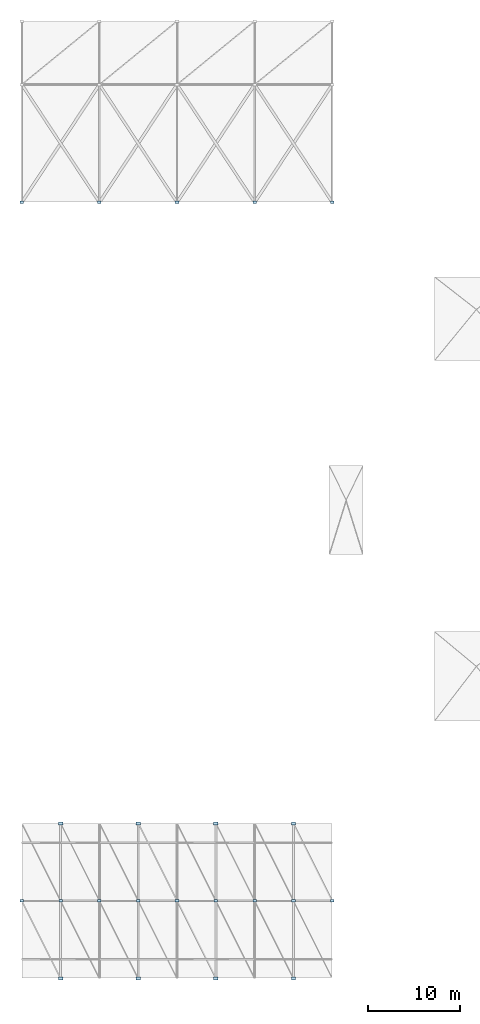
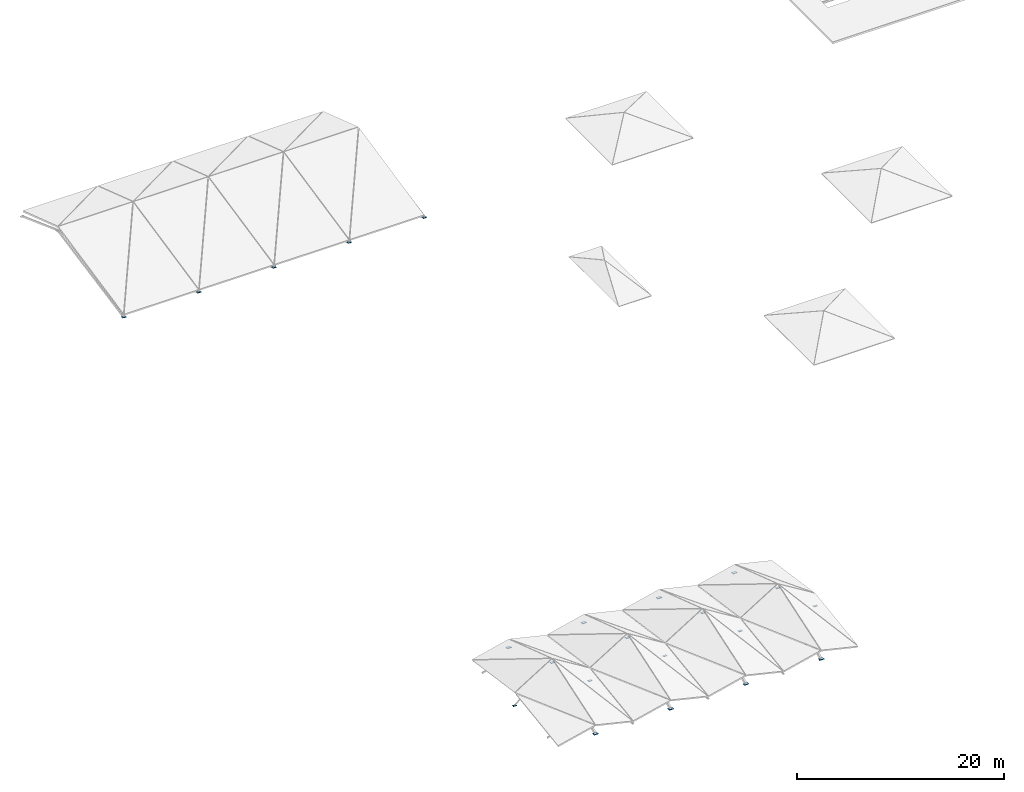
# One storey, part 7 of 10: 22 plates.
"""IFC4 building model written with IfcOpenShell, lengths in metres."""

from ifc_helpers import new_model, si_unit, direction, frame, origin, origin_2d, place, context, subcontext, project, spatial, rectangle, extrude, material, layer, layer_set, type_object, element, save


model = new_model("IFC4")

# Units and contexts
model_context = context("Model", 3, precision=1e-05, world=origin(), true_north=direction((0.0, 1.0)))
body_context = subcontext(model_context, "Body", "Model", "MODEL_VIEW")
ifc_project = project(units=[si_unit("LENGTHUNIT", "METRE"), si_unit("AREAUNIT", "SQUARE_METRE"), si_unit("VOLUMEUNIT", "CUBIC_METRE"), si_unit("PLANEANGLEUNIT", "RADIAN"), si_unit("MASSUNIT", "GRAM", prefix="KILO")], contexts=[model_context])

# Site, building, storey
site_placement = place(None, origin())
site = spatial("IfcSite", under=ifc_project, at=site_placement, CompositionType="ELEMENT")
building_placement = place(site_placement, origin())
building = spatial("IfcBuilding", under=site, at=building_placement, Name="Vanh Quang Courtyard School", CompositionType="ELEMENT")
storey_placement = place(building_placement, frame((0.0, 0.0, 25.800048828125)))
storey = spatial("IfcBuildingStorey", under=building, at=storey_placement, Name="ROOF", CompositionType="ELEMENT", Elevation=25.800048828125)

# Plates
ifc_material = material(Name="Structural steel EN 10025-2 S355J2", Category="steel")
ifc_layer_1 = layer(ifc_material, 0.02392578125)
ifc_layer_set_1 = layer_set([ifc_layer_1], Name="Structural steel EN 10025-2 S355J2")
plate_type_1 = type_object("IfcPlateType", Name="PLT-BASE-480x320x24", PredefinedType="SHEET", material=ifc_layer_set_1)
for number, where, z_axis, x_axis, name in (
    (1, (8.39990234375, 4.199951171875, -14.412109375), (0.0, 0.0, 1.0), (1.0, 0.0, 0.0), "Plate PB-03 (ROOF)"),
    (2, (8.39990234375, 21.0, -14.412109375), (0.0, 0.0, 1.0), (1.0, 0.0, 0.0), "Plate PB-03 (ROOF)"),
    (3, (16.800048828125, 4.199951171875, -14.412109375), (0.0, 0.0, 1.0), (1.0, 0.0, 0.0), "Plate PB-03 (ROOF)"),
    (4, (16.800048828125, 21.0, -14.412109375), (0.0, 0.0, 1.0), (1.0, 0.0, 0.0), "Plate PB-03 (ROOF)"),
    (5, (25.199951171875, 4.199951171875, -14.412109375), (0.0, 0.0, 1.0), (1.0, 0.0, 0.0), "Plate PB-03 (ROOF)"),
    (6, (25.199951171875, 21.0, -14.412109375), (0.0, 0.0, 1.0), (1.0, 0.0, 0.0), "Plate PB-03 (ROOF)"),
    (7, (33.60009765625, 4.199951171875, -14.412109375), (0.0, 0.0, 1.0), (1.0, 0.0, 0.0), "Plate PB-03 (ROOF)"),
    (8, (33.60009765625, 21.0, -14.412109375), (0.0, 0.0, 1.0), (1.0, 0.0, 0.0), "Plate PB-03 (ROOF)"),
):
    element("IfcPlate", number, at=place(storey_placement, frame(where, z_axis=z_axis, x_axis=x_axis)), inside=storey, type_object=plate_type_1, Name=name, PredefinedType="SHEET", context=body_context, shape_type="SweptSolid", body=[
        extrude(rectangle(XDim=0.47998046875, YDim=0.320068359375, at=origin_2d()), origin(), (0.0, 0.0, 1.0), 0.02392578125),
    ])
ifc_layer_2 = layer(ifc_material, 0.011962890625)
ifc_layer_set_2 = layer_set([ifc_layer_2], Name="Structural steel EN 10025-2 S355J2")
plate_type_2 = type_object("IfcPlateType", Name="PLT-GUS-390x260x12", PredefinedType="USERDEFINED", material=ifc_layer_set_2)
for number, where, z_axis, x_axis, name in (
    (9, (8.39990234375, 12.60009765625, -11.10595703125), (0.0, 0.0, 1.0), (1.0, 0.0, 0.0), "Plate PG-03 (ROOF)"),
    (10, (16.800048828125, 12.60009765625, -11.10595703125), (0.0, 0.0, 1.0), (1.0, 0.0, 0.0), "Plate PG-03 (ROOF)"),
    (11, (25.199951171875, 12.60009765625, -11.10595703125), (0.0, 0.0, 1.0), (1.0, 0.0, 0.0), "Plate PG-03 (ROOF)"),
    (12, (33.60009765625, 12.60009765625, -11.10595703125), (0.0, 0.0, 1.0), (1.0, 0.0, 0.0), "Plate PG-03 (ROOF)"),
    (13, (4.199951171875, 12.60009765625, -14.7060546875), (0.0, 0.0, 1.0), (1.0, 0.0, 0.0), "Plate PG-03 (ROOF)"),
    (14, (12.60009765625, 12.60009765625, -14.7060546875), (0.0, 0.0, 1.0), (1.0, 0.0, 0.0), "Plate PG-03 (ROOF)"),
    (15, (21.0, 12.60009765625, -14.7060546875), (0.0, 0.0, 1.0), (1.0, 0.0, 0.0), "Plate PG-03 (ROOF)"),
    (16, (29.39990234375, 12.60009765625, -14.7060546875), (0.0, 0.0, 1.0), (1.0, 0.0, 0.0), "Plate PG-03 (ROOF)"),
    (17, (37.800048828125, 12.60009765625, -14.7060546875), (0.0, 0.0, 1.0), (1.0, 0.0, 0.0), "Plate PG-03 (ROOF)"),
    (18, (4.199951171875, 88.199951171875, -14.666015625), (0.0, 0.0, 1.0), (1.0, 0.0, 0.0), "Plate PG-03 (ROOF)"),
    (19, (12.60009765625, 88.199951171875, -14.666015625), (0.0, 0.0, 1.0), (1.0, 0.0, 0.0), "Plate PG-03 (ROOF)"),
    (20, (21.0, 88.199951171875, -14.666015625), (0.0, 0.0, 1.0), (1.0, 0.0, 0.0), "Plate PG-03 (ROOF)"),
    (21, (29.39990234375, 88.199951171875, -14.666015625), (0.0, 0.0, 1.0), (1.0, 0.0, 0.0), "Plate PG-03 (ROOF)"),
    (22, (37.800048828125, 88.199951171875, -14.666015625), (0.0, 0.0, 1.0), (1.0, 0.0, 0.0), "Plate PG-03 (ROOF)"),
):
    element("IfcPlate", number, at=place(storey_placement, frame(where, z_axis=z_axis, x_axis=x_axis)), inside=storey, type_object=plate_type_2, Name=name, ObjectType="GUSSET_PLATE", PredefinedType="USERDEFINED", context=body_context, shape_type="SweptSolid", body=[
        extrude(rectangle(XDim=0.389892578125, YDim=0.260009765625, at=origin_2d()), origin(), (0.0, 0.0, 1.0), 0.011962890625),
    ])

save(model, "model.ifc")
